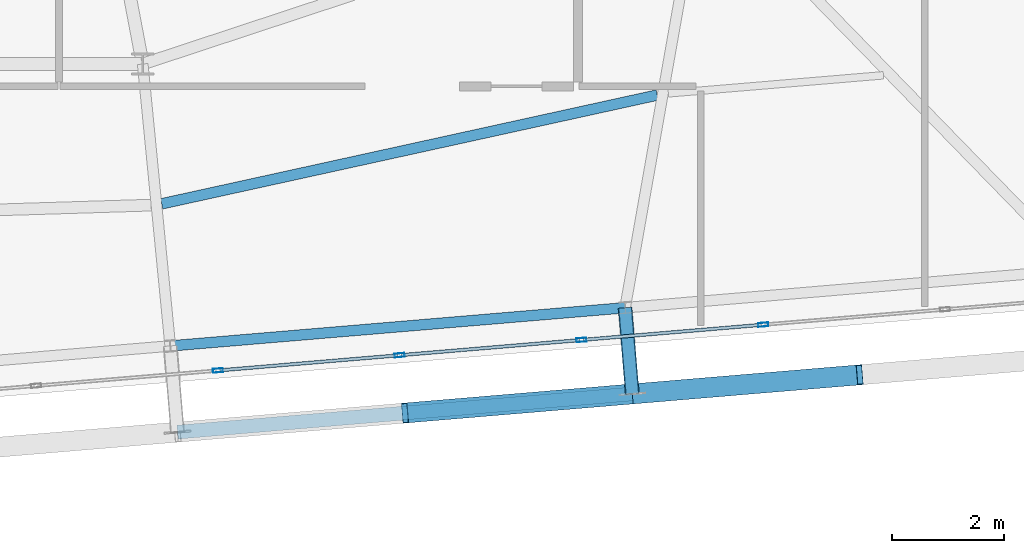
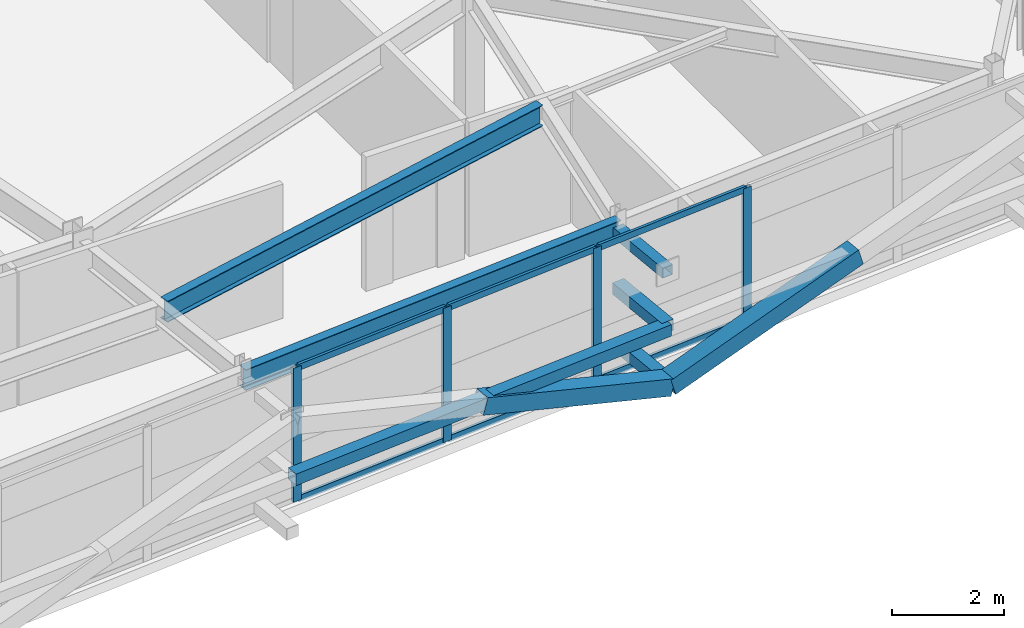
# One storey, part 19 of 44: 16 members, 2 beams, 1 element without a shape of its own.
"""IFC4 building model written with IfcOpenShell, lengths in metres."""

from ifc_helpers import new_model, si_unit, direction, frame, origin, origin_2d, place, context, subcontext, project, spatial, hollow_rectangle, i_section, extrude, source, transform, mapped, material, layer, layer_set, material_profile, profile_set, type_object, element, aggregate, save


model = new_model("IFC4")

# Units and contexts
model_context = context("Model", 3, precision=1e-05, world=origin(), true_north=direction((0.0, 1.0)))
body_context = subcontext(model_context, "Body", "Model", "MODEL_VIEW")
ifc_project = project(units=[si_unit("LENGTHUNIT", "METRE"), si_unit("AREAUNIT", "SQUARE_METRE"), si_unit("VOLUMEUNIT", "CUBIC_METRE"), si_unit("PLANEANGLEUNIT", "RADIAN"), si_unit("MASSUNIT", "GRAM", prefix="KILO")], contexts=[model_context])

# Site, building, storey
site_placement = place(None, origin())
site = spatial("IfcSite", under=ifc_project, at=site_placement, CompositionType="ELEMENT")
building_placement = place(site_placement, origin())
building = spatial("IfcBuilding", under=site, at=building_placement, Name="Taldren Reach Tower", CompositionType="ELEMENT")
storey_placement = place(building_placement, frame((0.0, 0.0, 191.449951171875)))
storey = spatial("IfcBuildingStorey", under=building, at=storey_placement, Name="L58", CompositionType="ELEMENT", Elevation=191.449951171875)

# Members
ifc_material_1 = material(Name="Steel Gr 350 (C350L0)", Category="steel")
ifc_material_profile_1 = material_profile(ifc_material_1, hollow_rectangle(XDim=0.25, YDim=0.25, WallThickness=0.010009765625, at=origin_2d()), Name="250x250x10.0SHS")
ifc_profile_set_1 = profile_set([ifc_material_profile_1], Name="Steel Gr 350 (C350L0)")
member_type_1 = type_object("IfcMemberType", Name="MB-POST250", PredefinedType="POST", material=ifc_profile_set_1)
shared_shape_1 = source(origin(), body_context, "Body", "SweptSolid", [
    extrude(hollow_rectangle(XDim=0.25, YDim=0.25, WallThickness=0.010009765625, at=origin_2d()), origin(), (0.0, 0.0, 1.0), 1.550048828125),
])
for number, where, z_axis, x_axis, name in (
    (1, (50.644775390625, 4.83203125, 0.219970703125), (0.083788408178, -0.996483568683, 0.0), (0.996483568683, 0.083788408178, 0.0), "Exoskeleton base diaphragm tie strut B4-S5 L58"),
    (2, (50.644775390625, 4.83203125, 1.43505859375), (0.083788408178, -0.996483568683, 0.0), (0.996483568683, 0.083788408178, 0.0), "Exoskeleton mid-tier diaphragm tie B4-S5 L58"),
):
    element("IfcMember", number, at=place(storey_placement, frame(where, z_axis=z_axis, x_axis=x_axis)), inside=storey, type_object=member_type_1, Name=name, PredefinedType="POST", context=body_context, shape_type="MappedRepresentation", body=[
        mapped(shared_shape_1, transform((0.0, 0.0, 0.0), scale=1.0)),
    ])

# Beams
ifc_material_2 = material(Name="Steel Gr 350 (350PLUS)", Category="steel")
ifc_material_profile_2 = material_profile(ifc_material_2, i_section(OverallWidth=0.18994140625, OverallDepth=0.4541015625, WebThickness=0.008544921875, FlangeThickness=0.0126953125, at=origin_2d()), Name="460UB67.1")
ifc_profile_set_2 = profile_set([ifc_material_profile_2], Name="Steel Gr 350 (350PLUS)")
beam_type_1 = type_object("IfcBeamType", Name="SP-UB460B", PredefinedType="SPANDREL", material=ifc_profile_set_2)
shared_shape_2 = source(origin(), body_context, "Body", "SweptSolid", [
    extrude(i_section(OverallWidth=0.18994140625, OverallDepth=0.4541015625, WebThickness=0.008544921875, FlangeThickness=0.0126953125, at=origin_2d()), origin(), (0.0, 0.0, 1.0), 8.179931640625),
])
beam_1_placement = place(storey_placement, frame((42.49365234375, 4.1474609375, 2.703125), z_axis=(0.99649182565, 0.08369015123, 0.0), x_axis=(-0.08369015123, 0.99649182565, 0.0)))
element("IfcBeam", 3, at=beam_1_placement, inside=storey, type_object=beam_type_1, Name="Perimeter spandrel B4 S4-S5 L58", PredefinedType="SPANDREL", context=body_context, shape_type="MappedRepresentation", body=[
    mapped(shared_shape_2, transform((0.0, 0.0, 0.0), scale=1.0)),
])
ifc_material_profile_3 = material_profile(ifc_material_2, i_section(OverallWidth=0.19091796875, OverallDepth=0.4599609375, WebThickness=0.010009765625, FlangeThickness=0.01611328125, at=origin_2d()), Name="460UB82.1")
ifc_profile_set_3 = profile_set([ifc_material_profile_3], Name="Steel Gr 350 (350PLUS)")
beam_type_2 = type_object("IfcBeamType", Name="BM-UB460A", PredefinedType="BEAM", material=ifc_profile_set_3)
shared_shape_3 = source(origin(), body_context, "Body", "SweptSolid", [
    extrude(i_section(OverallWidth=0.19091796875, OverallDepth=0.4599609375, WebThickness=0.010009765625, FlangeThickness=0.01611328125, at=origin_2d()), origin(), (0.0, 0.0, 1.0), 9.09228515625),
])
beam_2_placement = place(storey_placement, frame((42.3408203125, 6.6943359375, 2.699951171875), z_axis=(0.97674420602, 0.214407919647, 0.0), x_axis=(-0.214407919647, 0.97674420602, 0.0)))
element("IfcBeam", 4, at=beam_2_placement, inside=storey, type_object=beam_type_2, Name="Secondary floor beam B4 J4 L58", PredefinedType="BEAM", context=body_context, shape_type="MappedRepresentation", body=[
    mapped(shared_shape_3, transform((0.0, 0.0, 0.0), scale=1.0)),
])

# Members
ifc_material_3 = material(Name="Steel Gr 450 (C450L0)", Category="steel")
ifc_material_profile_4 = material_profile(ifc_material_3, hollow_rectangle(XDim=0.219970703125, YDim=0.219970703125, WallThickness=0.00830078125, at=origin_2d()), Name="220x220x8.2SHS")
ifc_profile_set_4 = profile_set([ifc_material_profile_4], Name="Steel Gr 450 (C450L0)")
member_type_2 = type_object("IfcMemberType", Name="MB-TIE219", PredefinedType="STRUT", material=ifc_profile_set_4)
shared_shape_4 = source(origin(), body_context, "Body", "SweptSolid", [
    extrude(hollow_rectangle(XDim=0.219970703125, YDim=0.219970703125, WallThickness=0.00830078125, at=origin_2d()), origin(), (0.0, 0.0, 1.0), 1.550048828125),
])
member_1_placement = place(storey_placement, frame((50.644775390625, 4.83203125, 2.650146484375), z_axis=(0.083788408178, -0.996483568683, 0.0), x_axis=(0.996483568683, 0.083788408178, 0.0)))
element("IfcMember", 5, at=member_1_placement, inside=storey, type_object=member_type_2, Name="Exoskeleton diaphragm tie strut B4-S5 L58", PredefinedType="STRUT", context=body_context, shape_type="MappedRepresentation", body=[
    mapped(shared_shape_4, transform((0.0, 0.0, 0.0), scale=1.0)),
])
shared_shape_5 = source(origin(), body_context, "Body", "SweptSolid", [
    extrude(hollow_rectangle(XDim=0.25, YDim=0.25, WallThickness=0.010009765625, at=origin_2d()), origin(), (0.0, 0.0, 1.0), 8.179931640625),
])
member_2_placement = place(storey_placement, frame((42.623291015625, 2.60302734375, 1.43505859375), z_axis=(0.996494523218, 0.083658025296, 0.0), x_axis=(-0.083658025296, 0.996494523218, 0.0)))
element("IfcMember", 6, at=member_2_placement, inside=storey, type_object=member_type_1, Name="Exoskeleton mid-height ring chord B4-S4 L58", PredefinedType="POST", context=body_context, shape_type="MappedRepresentation", body=[
    mapped(shared_shape_5, transform((0.0, 0.0, 0.0), scale=1.0)),
])
ifc_material_profile_5 = material_profile(ifc_material_3, hollow_rectangle(XDim=0.360107421875, YDim=0.360107421875, WallThickness=0.0126953125, at=origin_2d()), Name="360x360x12.7SHS")
ifc_profile_set_5 = profile_set([ifc_material_profile_5], Name="Steel Gr 450 (C450L0)")
member_type_3 = type_object("IfcMemberType", Name="MB-EXO356", PredefinedType="BRACE", material=ifc_profile_set_5)
shared_shape_6 = source(origin(), body_context, "Body", "SweptSolid", [
    extrude(hollow_rectangle(XDim=0.360107421875, YDim=0.360107421875, WallThickness=0.0126953125, at=origin_2d()), origin(), (0.0, 0.0, 1.0), 4.2666015625),
])
for number, where, z_axis, x_axis, name in (
    (7, (50.774658203125, 3.287353515625, 0.219970703125), (-0.955229159097, -0.080222312271, 0.284783486572), (0.083687662192, -0.996492034688, 0.0), "Exoskeleton Diagrid Brace B4-S4 L58"),
    (8, (50.774658203125, 3.287353515625, 0.219970703125), (0.955229159097, 0.080222312271, 0.284783486572), (-0.083687662192, 0.996492034688, 0.0), "Exoskeleton Diagrid Brace B4-S5 L58"),
):
    element("IfcMember", number, at=place(storey_placement, frame(where, z_axis=z_axis, x_axis=x_axis)), inside=storey, type_object=member_type_3, Name=name, PredefinedType="BRACE", context=body_context, shape_type="MappedRepresentation", body=[
        mapped(shared_shape_6, transform((0.0, 0.0, 0.0), scale=1.0)),
    ])

# Curtain wall, members
ifc_material_4 = material(Name="Aluminium and Low-E Glass Unitised System", Category="aluminium")
ifc_layer = layer(ifc_material_4, 0.159912109375)
ifc_layer_set = layer_set([ifc_layer], Name="Aluminium and Low-E Glass Unitised System")
curtain_wall_type = type_object("IfcCurtainWallType", Name="CW-SYS-5", PredefinedType="NOTDEFINED", material=ifc_layer_set)
curtain_wall_placement = place(storey_placement, origin())
curtain_wall = element("IfcCurtainWall", 9, at=curtain_wall_placement, inside=storey, type_object=curtain_wall_type, Name="Unitised curtain wall CW-L58-S", PredefinedType="NOTDEFINED")
ifc_material_5 = material(Name="Anodised Aluminium 6063-T6", Category="aluminium")
ifc_material_profile_6 = material_profile(ifc_material_5, hollow_rectangle(XDim=0.070068359375, YDim=0.179931640625, WallThickness=0.00390625, at=origin_2d()), Name="ALU-180x70x4RHS")
ifc_profile_set_6 = profile_set([ifc_material_profile_6], Name="Anodised Aluminium 6063-T6")
member_type_4 = type_object("IfcMemberType", Name="CW-MUL-180", PredefinedType="MULLION", material=ifc_profile_set_6)
shared_shape_7 = source(origin(), body_context, "Body", "SweptSolid", [
    extrude(hollow_rectangle(XDim=0.070068359375, YDim=0.179931640625, WallThickness=0.00390625, at=origin_2d()), origin(), (0.0, 0.0, 1.0), 2.929931640625),
])
member_3_placement = place(storey_placement, frame((43.34716796875, 3.707275390625, 0.0), z_axis=(0.0, 0.0, 1.0), x_axis=(-0.083677894865, 0.996492854922, 0.0)))
member_3 = element("IfcMember", 10, at=member_3_placement, type_object=member_type_4, Name="CW-5 mullion 9", PredefinedType="MULLION", context=body_context, shape_type="MappedRepresentation", body=[
    mapped(shared_shape_7, transform((0.0, 0.0, 0.0), scale=1.0)),
])
member_4_placement = place(storey_placement, frame((46.60498046875, 3.98095703125, 0.0), z_axis=(0.0, 0.0, 1.0), x_axis=(-0.083677894865, 0.996492854922, 0.0)))
member_4 = element("IfcMember", 11, at=member_4_placement, type_object=member_type_4, Name="CW-5 mullion 10", PredefinedType="MULLION", context=body_context, shape_type="MappedRepresentation", body=[
    mapped(shared_shape_7, transform((0.0, 0.0, 0.0), scale=1.0)),
])
member_5_placement = place(storey_placement, frame((49.86279296875, 4.25439453125, 0.0), z_axis=(0.0, 0.0, 1.0), x_axis=(-0.083677894865, 0.996492854922, 0.0)))
member_5 = element("IfcMember", 12, at=member_5_placement, type_object=member_type_4, Name="CW-5 mullion 11", PredefinedType="MULLION", context=body_context, shape_type="MappedRepresentation", body=[
    mapped(shared_shape_7, transform((0.0, 0.0, 0.0), scale=1.0)),
])
member_6_placement = place(storey_placement, frame((53.12060546875, 4.528076171875, 0.0), z_axis=(0.0, 0.0, 1.0), x_axis=(-0.083677894865, 0.996492854922, 0.0)))
member_6 = element("IfcMember", 13, at=member_6_placement, type_object=member_type_4, Name="CW-5 mullion 12", PredefinedType="MULLION", context=body_context, shape_type="MappedRepresentation", body=[
    mapped(shared_shape_7, transform((0.0, 0.0, 0.0), scale=1.0)),
])
ifc_material_profile_7 = material_profile(ifc_material_5, hollow_rectangle(XDim=0.06005859375, YDim=0.135009765625, WallThickness=0.00341796875, at=origin_2d()), Name="ALU-135x60x3.5RHS")
ifc_profile_set_7 = profile_set([ifc_material_profile_7], Name="Anodised Aluminium 6063-T6")
member_type_5 = type_object("IfcMemberType", Name="CW-TRN-150", PredefinedType="USERDEFINED", material=ifc_profile_set_7)
shared_shape_8 = source(origin(), body_context, "Body", "SweptSolid", [
    extrude(hollow_rectangle(XDim=0.06005859375, YDim=0.135009765625, WallThickness=0.00341796875, at=origin_2d()), origin(), (0.0, 0.0, 1.0), 3.19921875),
])
member_7_placement = place(storey_placement, frame((43.382080078125, 3.710205078125, 0.030029296875), z_axis=(0.996489746258, 0.083714906697, 0.0), x_axis=(-0.083714906697, 0.996489746258, 0.0)))
member_7 = element("IfcMember", 14, at=member_7_placement, type_object=member_type_5, Name="CW-5 transom 9.1", ObjectType="TRANSOM", PredefinedType="USERDEFINED", context=body_context, shape_type="MappedRepresentation", body=[
    mapped(shared_shape_8, transform((0.0, 0.0, 0.0), scale=1.0)),
])
member_8_placement = place(storey_placement, frame((43.382080078125, 3.710205078125, 2.900146484375), z_axis=(0.996489746258, 0.083714906697, 0.0), x_axis=(-0.083714906697, 0.996489746258, 0.0)))
member_8 = element("IfcMember", 15, at=member_8_placement, type_object=member_type_5, Name="CW-5 transom 9.2", ObjectType="TRANSOM", PredefinedType="USERDEFINED", context=body_context, shape_type="MappedRepresentation", body=[
    mapped(shared_shape_8, transform((0.0, 0.0, 0.0), scale=1.0)),
])
member_9_placement = place(storey_placement, frame((46.639892578125, 3.98388671875, 0.030029296875), z_axis=(0.996496109493, 0.083639128198, 0.0), x_axis=(-0.083639128198, 0.996496109493, 0.0)))
member_9 = element("IfcMember", 16, at=member_9_placement, type_object=member_type_5, Name="CW-5 transom 10.1", ObjectType="TRANSOM", PredefinedType="USERDEFINED", context=body_context, shape_type="MappedRepresentation", body=[
    mapped(shared_shape_8, transform((0.0, 0.0, 0.0), scale=1.0)),
])
member_10_placement = place(storey_placement, frame((46.639892578125, 3.98388671875, 2.900146484375), z_axis=(0.996496109493, 0.083639128198, 0.0), x_axis=(-0.083639128198, 0.996496109493, 0.0)))
member_10 = element("IfcMember", 17, at=member_10_placement, type_object=member_type_5, Name="CW-5 transom 10.2", ObjectType="TRANSOM", PredefinedType="USERDEFINED", context=body_context, shape_type="MappedRepresentation", body=[
    mapped(shared_shape_8, transform((0.0, 0.0, 0.0), scale=1.0)),
])
member_11_placement = place(storey_placement, frame((49.897705078125, 4.25732421875, 0.030029296875), z_axis=(0.996489746258, 0.083714906697, 0.0), x_axis=(-0.083714906697, 0.996489746258, 0.0)))
member_11 = element("IfcMember", 18, at=member_11_placement, type_object=member_type_5, Name="CW-5 transom 11.1", ObjectType="TRANSOM", PredefinedType="USERDEFINED", context=body_context, shape_type="MappedRepresentation", body=[
    mapped(shared_shape_8, transform((0.0, 0.0, 0.0), scale=1.0)),
])
member_12_placement = place(storey_placement, frame((49.897705078125, 4.25732421875, 2.900146484375), z_axis=(0.996489746258, 0.083714906697, 0.0), x_axis=(-0.083714906697, 0.996489746258, 0.0)))
member_12 = element("IfcMember", 19, at=member_12_placement, type_object=member_type_5, Name="CW-5 transom 11.2", ObjectType="TRANSOM", PredefinedType="USERDEFINED", context=body_context, shape_type="MappedRepresentation", body=[
    mapped(shared_shape_8, transform((0.0, 0.0, 0.0), scale=1.0)),
])
aggregate(curtain_wall, [member_3, member_4, member_5, member_6, member_7, member_8, member_9, member_10, member_11, member_12])

save(model, "model.ifc")
